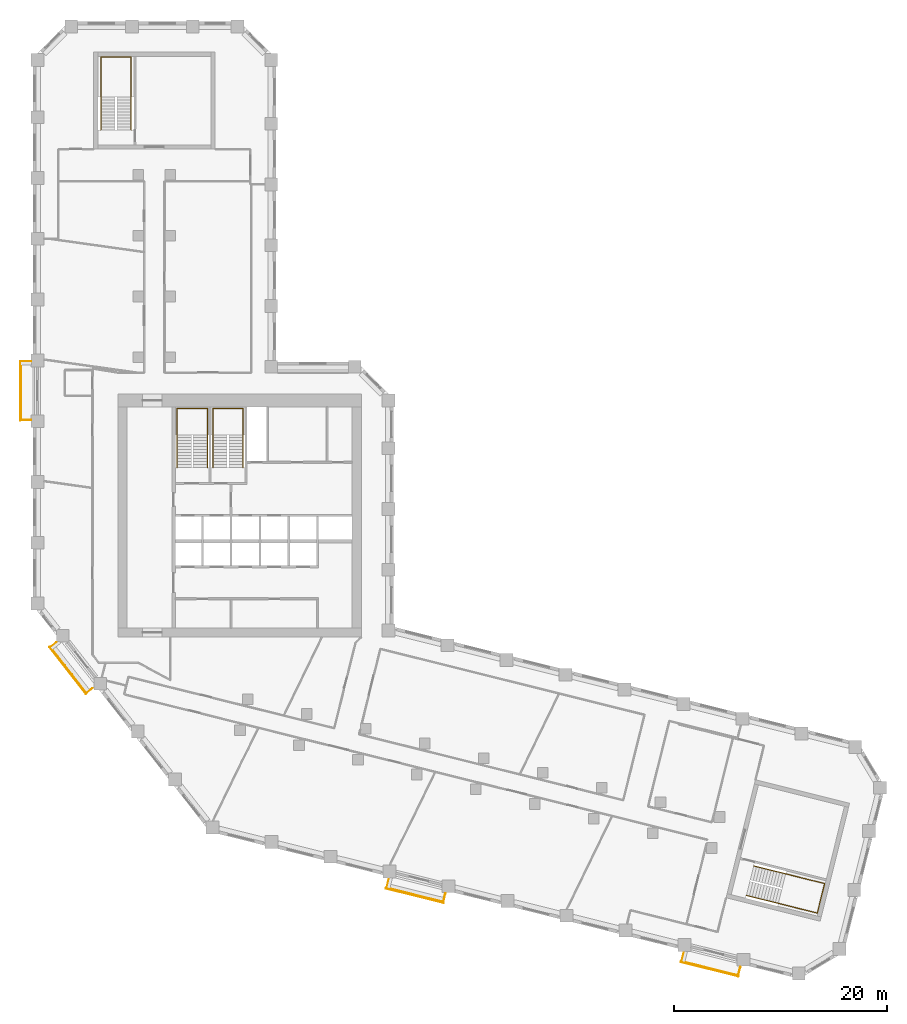
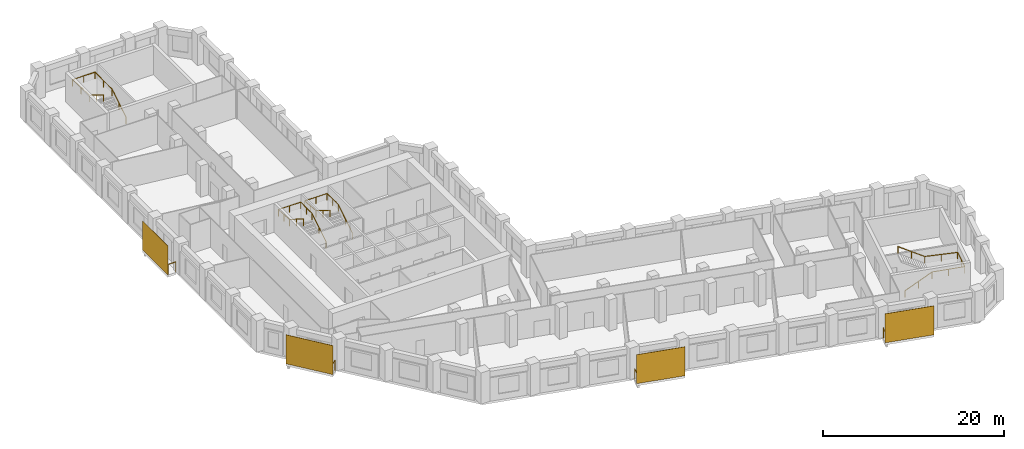
# One storey, part 10 of 10: 8 railings, 4 shading devices.
"""IFC4 building model written with IfcOpenShell, lengths in metres."""

import ifcopenshell
import ifcopenshell.guid

model = None  # the IFC model being written
_history = None  # IfcOwnerHistory: only IFC2X3 demands one
_inside = {}  # id of a spatial element -> (the spatial element, [elements in it])
_under = {}  # id of a project, library or spatial element -> (it, [spatial elements below it])
_declared = {}  # id of a project -> (the project, [libraries it declares])
_typed = {}  # id of a type object -> (the type object, [elements of that type])
_made_of = {}  # id of a material, layer set ... -> (it, [elements and type objects made of it])


def new_model(schema):
    """Start an empty IFC model of exactly this schema.

    Asked for "IFC4X3", IfcOpenShell would pick the latest addendum, in which some entities
    have other attributes; the version numbers below select the first issue.
    IFC2X3 requires an IfcOwnerHistory on every rooted entity: one is made here for all.
    """
    global model, _history
    if schema == "IFC4X3":
        model = ifcopenshell.file(schema_version=(4, 3, 0, 0))
    else:
        model = ifcopenshell.file(schema=schema)
    _inside.clear()
    _under.clear()
    _declared.clear()
    _typed.clear()
    _made_of.clear()
    _history = None
    if model.schema == "IFC2X3":
        org = make("IfcOrganization", Name="unknown")
        user = make(
            "IfcPersonAndOrganization",
            ThePerson=make("IfcPerson", FamilyName="unknown"),
            TheOrganization=org,
        )
        app = make(
            "IfcApplication",
            ApplicationDeveloper=org,
            Version="unknown",
            ApplicationFullName="unknown",
            ApplicationIdentifier="unknown",
        )
        _history = make(
            "IfcOwnerHistory",
            OwningUser=user,
            OwningApplication=app,
            ChangeAction="ADDED",
            CreationDate=0,
        )
    return model


def make(cls, **values):
    """One entity of the class cls with the attributes given. An attribute that is None is left unset."""
    return model.create_entity(
        cls, **{name: value for name, value in values.items() if value is not None}
    )


def rooted(cls, **values):
    """An entity with a GlobalId (a new one), such as an element, a storey or a relation."""
    return make(cls, GlobalId=ifcopenshell.guid.new(), OwnerHistory=_history, **values)


def si_unit(unit_type, name, prefix=None):
    """IfcSIUnit, for example si_unit("LENGTHUNIT", "METRE", prefix="MILLI")."""
    return make("IfcSIUnit", UnitType=unit_type, Prefix=prefix, Name=name)


def assignment(units):
    """IfcUnitAssignment: the units of a project."""
    return None if units is None else make("IfcUnitAssignment", Units=units)


def point(xyz):
    """IfcCartesianPoint."""
    return None if xyz is None else make("IfcCartesianPoint", Coordinates=xyz)


def direction(xyz):
    """IfcDirection."""
    return None if xyz is None else make("IfcDirection", DirectionRatios=xyz)


def frame(location, z_axis=None, x_axis=None):
    """IfcAxis2Placement3D, a coordinate frame: its origin and axes. An axis left out is left unset."""
    return make(
        "IfcAxis2Placement3D",
        Location=point(location),
        Axis=direction(z_axis),
        RefDirection=direction(x_axis),
    )


def frame_2d(location, x_axis=None):
    """IfcAxis2Placement2D, a coordinate frame in the plane: its origin and x axis."""
    return make(
        "IfcAxis2Placement2D", Location=point(location), RefDirection=direction(x_axis)
    )


def origin():
    """The frame at (0, 0, 0) with its axes left unset."""
    return frame((0.0, 0.0, 0.0))


def origin_2d():
    """The frame at (0, 0) in the plane with its x axis left unset."""
    return frame_2d((0.0, 0.0))


def place(relative_to, where):
    """IfcLocalPlacement: puts the frame where relative to a parent placement (None: the world)."""
    return make(
        "IfcLocalPlacement", PlacementRelTo=relative_to, RelativePlacement=where
    )


def context(
    kind, dimensions, precision=None, world=None, true_north=None, identifier=None
):
    """IfcGeometricRepresentationContext, for example the 3D "Model" context."""
    return make(
        "IfcGeometricRepresentationContext",
        ContextIdentifier=identifier,
        ContextType=kind,
        CoordinateSpaceDimension=dimensions,
        Precision=precision,
        WorldCoordinateSystem=world,
        TrueNorth=true_north,
    )


def subcontext(parent, identifier, kind, view, scale=None):
    """IfcGeometricRepresentationSubContext, for example "Body" below "Model"."""
    return make(
        "IfcGeometricRepresentationSubContext",
        ContextIdentifier=identifier,
        ContextType=kind,
        ParentContext=parent,
        TargetScale=scale,
        TargetView=view,
    )


def project(units=None, contexts=None):
    """IfcProject with its units and contexts."""
    return rooted(
        "IfcProject",
        Name="project",
        RepresentationContexts=contexts,
        UnitsInContext=assignment(units),
    )


def spatial(cls, under=None, at=None, **own):
    """A site, building, storey or space (cls), placed at a placement, below another one or the project."""
    s = rooted(cls, ObjectPlacement=at, **own)
    if under is not None:
        _under.setdefault(under.id(), (under, []))[1].append(s)
    return s


def profile(cls, at=None, kind="AREA", **sizes):
    """A parametric profile (cls). Its sizes go by their IFC names, for example OverallWidth=200.0."""
    return make(cls, ProfileType=kind, Position=at, **sizes)


def rectangle(**sizes):
    """IfcRectangleProfileDef."""
    return profile("IfcRectangleProfileDef", **sizes)


def circle(**sizes):
    """IfcCircleProfileDef."""
    return profile("IfcCircleProfileDef", **sizes)


def extrude(swept, where, along, depth):
    """IfcExtrudedAreaSolid: the profile swept, set in the frame where, extruded along a direction by depth."""
    return make(
        "IfcExtrudedAreaSolid",
        SweptArea=swept,
        Position=where,
        ExtrudedDirection=direction(along),
        Depth=depth,
    )


def shape(context_of_items, identifier, shape_type, items):
    """IfcShapeRepresentation: the items that make up one representation, for example the "Body"."""
    return make(
        "IfcShapeRepresentation",
        ContextOfItems=context_of_items,
        RepresentationIdentifier=identifier,
        RepresentationType=shape_type,
        Items=items,
    )


def material(Name=None, Category=None):
    """IfcMaterial."""
    return make("IfcMaterial", Name=Name, Category=Category)


def layer(
    of_material, thickness, ventilated=None, Name=None, Category=None, Priority=None
):
    """IfcMaterialLayer: one layer of a wall or slab, of a material (None: an air gap)."""
    return make(
        "IfcMaterialLayer",
        Material=of_material,
        LayerThickness=thickness,
        IsVentilated=ventilated,
        Name=Name,
        Category=Category,
        Priority=Priority,
    )


def layer_set(layers, Name=None):
    """IfcMaterialLayerSet."""
    return make("IfcMaterialLayerSet", MaterialLayers=layers, LayerSetName=Name)


def made_of(thing, what):
    """Note that an element or type object is made of a material, layer set ...; save() writes the relation."""
    if what is not None:
        _made_of.setdefault(what.id(), (what, []))[1].append(thing)
    return thing


def type_object(cls, material=None, **own):
    """A type object (cls), such as IfcWallType, which elements share."""
    return made_of(rooted(cls, **own), material)


def element(
    cls,
    number,
    at=None,
    inside=None,
    cuts=None,
    type_object=None,
    material=None,
    context=None,
    identifier="Body",
    shape_type=None,
    held_by="IfcProductDefinitionShape",
    body=None,
    shapes=None,
    **own,
):
    """One element of the class cls, such as IfcWall. Its Tag is "e" and its number.

    at: its placement. inside: the storey or other place that contains it. cuts: it is an
    opening in that element (IfcRelVoidsElement). A single representation is given by context,
    identifier, shape_type and body (its items); several are given by shapes. held_by: the class
    of the entity that holds the representations. save() writes the other relations.
    """
    e = rooted(cls, Tag="e%d" % number, ObjectPlacement=at, **own)
    if body is not None:
        shapes = [shape(context, identifier, shape_type, body)]
    if shapes is not None:
        e.Representation = make(held_by, Representations=shapes)
    if inside is not None:
        _inside.setdefault(inside.id(), (inside, []))[1].append(e)
    if cuts is not None:
        rooted(
            "IfcRelVoidsElement", RelatingBuildingElement=cuts, RelatedOpeningElement=e
        )
    if type_object is not None:
        _typed.setdefault(type_object.id(), (type_object, []))[1].append(e)
    return made_of(e, material)


def aggregate(whole, parts):
    """IfcRelAggregates: a whole, such as a stair, and the parts it consists of."""
    return rooted("IfcRelAggregates", RelatingObject=whole, RelatedObjects=parts)


def save(model, path):
    """Write the relations noted so far, then the file.

    IfcRelAggregates (storeys below a building ...), IfcRelContainedInSpatialStructure (elements
    in a storey), IfcRelDefinesByType, IfcRelAssociatesMaterial and IfcRelDeclares: one each for
    every whole, place, type object, material and project.
    """
    for whole, parts in _under.values():
        aggregate(whole, parts)
    for where, things in _inside.values():
        rooted(
            "IfcRelContainedInSpatialStructure",
            RelatedElements=things,
            RelatingStructure=where,
        )
    for kind, things in _typed.values():
        rooted("IfcRelDefinesByType", RelatedObjects=things, RelatingType=kind)
    for what, things in _made_of.values():
        rooted("IfcRelAssociatesMaterial", RelatedObjects=things, RelatingMaterial=what)
    for by, libraries in _declared.values():
        rooted("IfcRelDeclares", RelatingContext=by, RelatedDefinitions=libraries)
    model.write(path)


model = new_model("IFC4")

# Units and contexts
model_context = context("Model", 3, precision=1e-05, world=origin(), true_north=direction((0.0, 1.0)))
body_context = subcontext(model_context, "Body", "Model", "MODEL_VIEW")
ifc_project = project(units=[si_unit("LENGTHUNIT", "METRE"), si_unit("AREAUNIT", "SQUARE_METRE"), si_unit("VOLUMEUNIT", "CUBIC_METRE"), si_unit("PLANEANGLEUNIT", "RADIAN"), si_unit("MASSUNIT", "GRAM", prefix="KILO")], contexts=[model_context])

# Site, building, storey
site_placement = place(None, origin())
site = spatial("IfcSite", under=ifc_project, at=site_placement, CompositionType="ELEMENT")
building_placement = place(site_placement, origin())
building = spatial("IfcBuilding", under=site, at=building_placement, Name="Meshkara Civic Tower", CompositionType="ELEMENT")
storey_placement = place(building_placement, frame((0.0, 0.0, 190.800048828125)))
storey = spatial("IfcBuildingStorey", under=building, at=storey_placement, Name="L43", CompositionType="ELEMENT", Elevation=190.800048828125)

# Railings
ifc_material_1 = material(Name="Steel S355", Category="steel")
railing_type_1 = type_object("IfcRailingType", Name="BALUSTRADE GUARD 1400", PredefinedType="BALUSTRADE", material=ifc_material_1)
railing_1_placement = place(storey_placement, frame((-0.14990234375, 39.93505859375, 0.0)))
element("IfcRailing", 1, at=railing_1_placement, inside=storey, type_object=railing_type_1, Name="Balcony guard", PredefinedType="BALUSTRADE", context=body_context, shape_type="SweptSolid", body=[
    extrude(circle(Radius=0.02392578125, at=origin_2d()), frame((0.0, 0.0, 1.3759765625), z_axis=(-1.0, 0.0, 0.0), x_axis=(0.0, -1.0, 0.0)), (0.0, 0.0, 1.0), 0.960205078125),
    extrude(circle(Radius=0.02392578125, at=origin_2d()), frame((-0.960205078125, 0.0, 1.3759765625), z_axis=(0.0, -1.0, 0.0), x_axis=(1.0, 0.0, 0.0)), (0.0, 0.0, 1.0), 5.4599609375),
    extrude(circle(Radius=0.02392578125, at=origin_2d()), frame((-0.960205078125, -5.4599609375, 1.3759765625), z_axis=(1.0, 0.0, 0.0), x_axis=(0.0, 1.0, 0.0)), (0.0, 0.0, 1.0), 0.960205078125),
    extrude(circle(Radius=0.02099609375, at=origin_2d()), origin(), (0.0, 0.0, 1.0), 1.351806640625),
    extrude(circle(Radius=0.02099609375, at=origin_2d()), frame((-0.960205078125, 0.0, 0.0)), (0.0, 0.0, 1.0), 1.351806640625),
    extrude(circle(Radius=0.02099609375, at=origin_2d()), frame((-0.960205078125, -1.092041015625, 0.0)), (0.0, 0.0, 1.0), 1.351806640625),
    extrude(circle(Radius=0.02099609375, at=origin_2d()), frame((-0.960205078125, -2.18408203125, 0.0)), (0.0, 0.0, 1.0), 1.351806640625),
    extrude(circle(Radius=0.02099609375, at=origin_2d()), frame((-0.960205078125, -3.27587890625, 0.0)), (0.0, 0.0, 1.0), 1.351806640625),
    extrude(circle(Radius=0.02099609375, at=origin_2d()), frame((-0.960205078125, -4.367919921875, 0.0)), (0.0, 0.0, 1.0), 1.351806640625),
    extrude(circle(Radius=0.02099609375, at=origin_2d()), frame((-0.960205078125, -5.4599609375, 0.0)), (0.0, 0.0, 1.0), 1.351806640625),
    extrude(circle(Radius=0.02099609375, at=origin_2d()), frame((0.0, -5.4599609375, 0.0)), (0.0, 0.0, 1.0), 1.351806640625),
])
railing_2_placement = place(storey_placement, frame((2.22412109375, 13.615966796875, 0.0)))
element("IfcRailing", 2, at=railing_2_placement, inside=storey, type_object=railing_type_1, Name="Balcony guard", PredefinedType="BALUSTRADE", context=body_context, shape_type="SweptSolid", body=[
    extrude(circle(Radius=0.02392578125, at=origin_2d()), frame((0.0, 0.0, 1.3759765625), z_axis=(-0.787792154951, -0.615941166506, 0.0), x_axis=(0.615941166506, -0.787792154951, 0.0)), (0.0, 0.0, 1.0), 0.717529296875),
    extrude(circle(Radius=0.02392578125, at=origin_2d()), frame((-0.565185546875, -0.44189453125, 1.3759765625), z_axis=(0.615573755741, -0.788079279795, 0.0), x_axis=(0.788079279795, 0.615573755741, 0.0)), (0.0, 0.0, 1.0), 5.460205078125),
    extrude(circle(Radius=0.02392578125, at=origin_2d()), frame((2.7958984375, -4.744873046875, 1.3759765625), z_axis=(0.788178999613, 0.615446069586, 0.0), x_axis=(-0.615446069586, 0.788178999613, 0.0)), (0.0, 0.0, 1.0), 0.718017578125),
    extrude(circle(Radius=0.02099609375, at=origin_2d()), origin(), (0.0, 0.0, 1.0), 1.351806640625),
    extrude(circle(Radius=0.02099609375, at=origin_2d()), frame((-0.565185546875, -0.44189453125, 0.0)), (0.0, 0.0, 1.0), 1.351806640625),
    extrude(circle(Radius=0.02099609375, at=origin_2d()), frame((0.10693359375, -1.302490234375, 0.0)), (0.0, 0.0, 1.0), 1.351806640625),
    extrude(circle(Radius=0.02099609375, at=origin_2d()), frame((0.779296875, -2.1630859375, 0.0)), (0.0, 0.0, 1.0), 1.351806640625),
    extrude(circle(Radius=0.02099609375, at=origin_2d()), frame((1.451416015625, -3.023681640625, 0.0)), (0.0, 0.0, 1.0), 1.351806640625),
    extrude(circle(Radius=0.02099609375, at=origin_2d()), frame((2.123779296875, -3.88427734375, 0.0)), (0.0, 0.0, 1.0), 1.351806640625),
    extrude(circle(Radius=0.02099609375, at=origin_2d()), frame((2.7958984375, -4.744873046875, 0.0)), (0.0, 0.0, 1.0), 1.351806640625),
    extrude(circle(Radius=0.02099609375, at=origin_2d()), frame((3.36181640625, -4.302978515625, 0.0)), (0.0, 0.0, 1.0), 1.351806640625),
])
railing_3_placement = place(storey_placement, frame((33.384033203125, -8.60888671875, 0.0)))
element("IfcRailing", 3, at=railing_3_placement, inside=storey, type_object=railing_type_1, Name="Balcony guard", PredefinedType="BALUSTRADE", context=body_context, shape_type="SweptSolid", body=[
    extrude(circle(Radius=0.02392578125, at=origin_2d()), frame((0.0, 0.0, 1.3759765625), z_axis=(-0.242673544463, -0.970108009872, 0.0), x_axis=(0.970108009872, -0.242673544463, 0.0)), (0.0, 0.0, 1.0), 0.8330078125),
    extrude(circle(Radius=0.02392578125, at=origin_2d()), frame((-0.2021484375, -0.80810546875, 1.3759765625), z_axis=(0.970292231073, -0.24193591366, 0.0), x_axis=(0.24193591366, 0.970292231073, 0.0)), (0.0, 0.0, 1.0), 5.460205078125),
    extrude(circle(Radius=0.02392578125, at=origin_2d()), frame((5.095947265625, -2.129150390625, 1.3759765625), z_axis=(0.242397690902, 0.970176973261, 0.0), x_axis=(-0.970176973261, 0.242397690902, 0.0)), (0.0, 0.0, 1.0), 0.8330078125),
    extrude(circle(Radius=0.02099609375, at=origin_2d()), origin(), (0.0, 0.0, 1.0), 1.351806640625),
    extrude(circle(Radius=0.02099609375, at=origin_2d()), frame((-0.2021484375, -0.80810546875, 0.0)), (0.0, 0.0, 1.0), 1.351806640625),
    extrude(circle(Radius=0.02099609375, at=origin_2d()), frame((0.857421875, -1.072265625, 0.0)), (0.0, 0.0, 1.0), 1.351806640625),
    extrude(circle(Radius=0.02099609375, at=origin_2d()), frame((1.9169921875, -1.33642578125, 0.0)), (0.0, 0.0, 1.0), 1.351806640625),
    extrude(circle(Radius=0.02099609375, at=origin_2d()), frame((2.976806640625, -1.600830078125, 0.0)), (0.0, 0.0, 1.0), 1.351806640625),
    extrude(circle(Radius=0.02099609375, at=origin_2d()), frame((4.036376953125, -1.864990234375, 0.0)), (0.0, 0.0, 1.0), 1.351806640625),
    extrude(circle(Radius=0.02099609375, at=origin_2d()), frame((5.095947265625, -2.129150390625, 0.0)), (0.0, 0.0, 1.0), 1.351806640625),
    extrude(circle(Radius=0.02099609375, at=origin_2d()), frame((5.2978515625, -1.321044921875, 0.0)), (0.0, 0.0, 1.0), 1.351806640625),
])
railing_4_placement = place(storey_placement, frame((61.037109375, -15.50390625, 0.0)))
element("IfcRailing", 4, at=railing_4_placement, inside=storey, type_object=railing_type_1, Name="Balcony guard", PredefinedType="BALUSTRADE", context=body_context, shape_type="SweptSolid", body=[
    extrude(circle(Radius=0.02392578125, at=origin_2d()), frame((0.0, 0.0, 1.3759765625), z_axis=(-0.241569777604, -0.970383451296, 0.0), x_axis=(0.970383451296, -0.241569777604, 0.0)), (0.0, 0.0, 1.0), 0.832763671875),
    extrude(circle(Radius=0.02392578125, at=origin_2d()), frame((-0.201171875, -0.80810546875, 1.3759765625), z_axis=(0.970323745377, -0.241809489388, 0.0), x_axis=(0.241809489388, 0.970323745377, 0.0)), (0.0, 0.0, 1.0), 5.459228515625),
    extrude(circle(Radius=0.02392578125, at=origin_2d()), frame((5.095947265625, -2.128173828125, 1.3759765625), z_axis=(0.242673711326, 0.970107968131, 0.0), x_axis=(-0.970107968131, 0.242673711326, 0.0)), (0.0, 0.0, 1.0), 0.83203125),
    extrude(circle(Radius=0.02099609375, at=origin_2d()), origin(), (0.0, 0.0, 1.0), 1.351806640625),
    extrude(circle(Radius=0.02099609375, at=origin_2d()), frame((-0.201171875, -0.80810546875, 0.0)), (0.0, 0.0, 1.0), 1.351806640625),
    extrude(circle(Radius=0.02099609375, at=origin_2d()), frame((0.858154296875, -1.072021484375, 0.0)), (0.0, 0.0, 1.0), 1.351806640625),
    extrude(circle(Radius=0.02099609375, at=origin_2d()), frame((1.917724609375, -1.336181640625, 0.0)), (0.0, 0.0, 1.0), 1.351806640625),
    extrude(circle(Radius=0.02099609375, at=origin_2d()), frame((2.97705078125, -1.60009765625, 0.0)), (0.0, 0.0, 1.0), 1.351806640625),
    extrude(circle(Radius=0.02099609375, at=origin_2d()), frame((4.03662109375, -1.8642578125, 0.0)), (0.0, 0.0, 1.0), 1.351806640625),
    extrude(circle(Radius=0.02099609375, at=origin_2d()), frame((5.095947265625, -2.128173828125, 0.0)), (0.0, 0.0, 1.0), 1.351806640625),
    extrude(circle(Radius=0.02099609375, at=origin_2d()), frame((5.2978515625, -1.321044921875, 0.0)), (0.0, 0.0, 1.0), 1.351806640625),
])

# Shading devices
ifc_material_2 = material(Name="Perforated bronze anodised aluminium sheet", Category="aluminium")
ifc_layer = layer(ifc_material_2, 0.0400390625)
ifc_layer_set = layer_set([ifc_layer], Name="PERFORATED BRONZE SCREEN")
shading_device_type = type_object("IfcShadingDeviceType", Name="PERFORATED BRONZE SCREEN", PredefinedType="USERDEFINED", material=ifc_layer_set)
for number, where, z_axis, x_axis, name in (
    (5, (-1.179931640625, 37.205078125, 0.0), (0.0, 0.0, 1.0), (0.0, -1.0, 0.0), "Balcony screen"),
    (6, (3.283935546875, 10.97998046875, 0.0), (0.0, 0.0, 1.0), (0.615661475326, -0.788010753607, 0.0), "Balcony screen"),
    (7, (35.81396484375, -10.14599609375, 0.0), (0.0, 0.0, 1.0), (0.970299948462, -0.241904960708, 0.0), "Balcony screen"),
):
    element("IfcShadingDevice", number, at=place(storey_placement, frame(where, z_axis=z_axis, x_axis=x_axis)), inside=storey, type_object=shading_device_type, Name=name, ObjectType="SCREEN", PredefinedType="USERDEFINED", context=body_context, shape_type="SweptSolid", body=[
        extrude(rectangle(XDim=5.580078125, YDim=0.0400390625, at=origin_2d()), origin(), (0.0, 0.0, 1.0), 3.89990234375),
    ])
shading_device_placement = place(storey_placement, frame((63.468017578125, -17.0400390625, 0.0), z_axis=(0.0, 0.0, 1.0), x_axis=(0.970299948462, -0.241904960708, 0.0)))
element("IfcShadingDevice", 8, at=shading_device_placement, inside=storey, type_object=shading_device_type, Name="Balcony screen", ObjectType="SCREEN", PredefinedType="USERDEFINED", context=body_context, shape_type="SweptSolid", body=[
    extrude(rectangle(XDim=5.5791015625, YDim=0.0400390625, at=origin_2d()), origin(), (0.0, 0.0, 1.0), 3.89990234375),
])

# Railings
ifc_material_3 = material(Name="Steel handrail", Category="steel")
railing_type_2 = type_object("IfcRailingType", Name="Stair handrail 900", PredefinedType="HANDRAIL", material=ifc_material_3)
railing_5_placement = place(storey_placement, frame((16.375, 30.0, 0.175048828125)))
element("IfcRailing", 9, at=railing_5_placement, inside=storey, type_object=railing_type_2, Name="L43 ST1 stair handrail 1", PredefinedType="HANDRAIL", context=body_context, shape_type="SweptSolid", body=[
    extrude(circle(Radius=0.02392578125, at=origin_2d()), frame((0.0, 0.0, 0.8759765625), z_axis=(0.0, 0.848028513186, 0.529950602248), x_axis=(-1.0, 0.0, 0.0)), (0.0, 0.0, 1.0), 3.632080078125),
    extrude(circle(Radius=0.02392578125, at=origin_2d()), frame((0.0, 3.080078125, 2.80078125), z_axis=(0.0, 1.0, 0.0), x_axis=(-1.0, 0.0, 0.0)), (0.0, 0.0, 1.0), 2.469970703125),
    extrude(circle(Radius=0.02392578125, at=origin_2d()), frame((0.0, 5.550048828125, 2.80078125), z_axis=(-1.0, 0.0, 0.0), x_axis=(0.0, -1.0, 0.0)), (0.0, 0.0, 1.0), 2.85009765625),
    extrude(circle(Radius=0.02392578125, at=origin_2d()), frame((-2.85009765625, 5.550048828125, 2.80078125), z_axis=(0.0, -0.997498084828, 0.070693498747), x_axis=(1.0, 0.0, 0.0)), (0.0, 0.0, 1.0), 2.47607421875),
    extrude(circle(Radius=0.02392578125, at=origin_2d()), frame((-2.85009765625, 3.080078125, 2.9755859375), z_axis=(0.0, -0.847998304005, 0.529998940003), x_axis=(1.0, 0.0, 0.0)), (0.0, 0.0, 1.0), 3.632080078125),
    extrude(circle(Radius=0.02099609375, at=origin_2d()), origin(), (0.0, 0.0, 1.0), 0.851806640625),
    extrude(circle(Radius=0.02099609375, at=origin_2d()), frame((0.0, 1.5400390625, 0.96240234375)), (0.0, 0.0, 1.0), 0.851806640625),
    extrude(circle(Radius=0.02099609375, at=origin_2d()), frame((0.0, 3.080078125, 1.9248046875)), (0.0, 0.0, 1.0), 0.851806640625),
    extrude(circle(Radius=0.02099609375, at=origin_2d()), frame((0.0, 4.31494140625, 1.9248046875)), (0.0, 0.0, 1.0), 0.851806640625),
    extrude(circle(Radius=0.02099609375, at=origin_2d()), frame((0.0, 5.550048828125, 1.9248046875)), (0.0, 0.0, 1.0), 0.851806640625),
    extrude(circle(Radius=0.02099609375, at=origin_2d()), frame((-1.425048828125, 5.550048828125, 1.9248046875)), (0.0, 0.0, 1.0), 0.851806640625),
    extrude(circle(Radius=0.02099609375, at=origin_2d()), frame((-2.85009765625, 5.550048828125, 1.9248046875)), (0.0, 0.0, 1.0), 0.851806640625),
    extrude(circle(Radius=0.02099609375, at=origin_2d()), frame((-2.85009765625, 4.31494140625, 2.01220703125)), (0.0, 0.0, 1.0), 0.851806640625),
    extrude(circle(Radius=0.02099609375, at=origin_2d()), frame((-2.85009765625, 3.080078125, 2.099853515625)), (0.0, 0.0, 1.0), 0.851806640625),
    extrude(circle(Radius=0.02099609375, at=origin_2d()), frame((-2.85009765625, 1.5400390625, 3.0625)), (0.0, 0.0, 1.0), 0.851806640625),
    extrude(circle(Radius=0.02099609375, at=origin_2d()), frame((-2.85009765625, 0.0, 4.02490234375)), (0.0, 0.0, 1.0), 0.851806640625),
])
railing_6_placement = place(storey_placement, frame((19.72509765625, 30.0, 0.175048828125)))
element("IfcRailing", 10, at=railing_6_placement, inside=storey, type_object=railing_type_2, Name="L43 ST2 stair handrail 1", PredefinedType="HANDRAIL", context=body_context, shape_type="SweptSolid", body=[
    extrude(circle(Radius=0.02392578125, at=origin_2d()), frame((0.0, 0.0, 0.8759765625), z_axis=(0.0, 0.848028513186, 0.529950602248), x_axis=(-1.0, 0.0, 0.0)), (0.0, 0.0, 1.0), 3.632080078125),
    extrude(circle(Radius=0.02392578125, at=origin_2d()), frame((0.0, 3.080078125, 2.80078125), z_axis=(0.0, 1.0, 0.0), x_axis=(-1.0, 0.0, 0.0)), (0.0, 0.0, 1.0), 2.469970703125),
    extrude(circle(Radius=0.02392578125, at=origin_2d()), frame((0.0, 5.550048828125, 2.80078125), z_axis=(-1.0, 0.0, 0.0), x_axis=(0.0, -1.0, 0.0)), (0.0, 0.0, 1.0), 2.85009765625),
    extrude(circle(Radius=0.02392578125, at=origin_2d()), frame((-2.85009765625, 5.550048828125, 2.80078125), z_axis=(0.0, -0.997498084828, 0.070693498747), x_axis=(1.0, 0.0, 0.0)), (0.0, 0.0, 1.0), 2.47607421875),
    extrude(circle(Radius=0.02392578125, at=origin_2d()), frame((-2.85009765625, 3.080078125, 2.9755859375), z_axis=(0.0, -0.847998304005, 0.529998940003), x_axis=(1.0, 0.0, 0.0)), (0.0, 0.0, 1.0), 3.632080078125),
    extrude(circle(Radius=0.02099609375, at=origin_2d()), origin(), (0.0, 0.0, 1.0), 0.851806640625),
    extrude(circle(Radius=0.02099609375, at=origin_2d()), frame((0.0, 1.5400390625, 0.96240234375)), (0.0, 0.0, 1.0), 0.851806640625),
    extrude(circle(Radius=0.02099609375, at=origin_2d()), frame((0.0, 3.080078125, 1.9248046875)), (0.0, 0.0, 1.0), 0.851806640625),
    extrude(circle(Radius=0.02099609375, at=origin_2d()), frame((0.0, 4.31494140625, 1.9248046875)), (0.0, 0.0, 1.0), 0.851806640625),
    extrude(circle(Radius=0.02099609375, at=origin_2d()), frame((0.0, 5.550048828125, 1.9248046875)), (0.0, 0.0, 1.0), 0.851806640625),
    extrude(circle(Radius=0.02099609375, at=origin_2d()), frame((-1.425048828125, 5.550048828125, 1.9248046875)), (0.0, 0.0, 1.0), 0.851806640625),
    extrude(circle(Radius=0.02099609375, at=origin_2d()), frame((-2.85009765625, 5.550048828125, 1.9248046875)), (0.0, 0.0, 1.0), 0.851806640625),
    extrude(circle(Radius=0.02099609375, at=origin_2d()), frame((-2.85009765625, 4.31494140625, 2.01220703125)), (0.0, 0.0, 1.0), 0.851806640625),
    extrude(circle(Radius=0.02099609375, at=origin_2d()), frame((-2.85009765625, 3.080078125, 2.099853515625)), (0.0, 0.0, 1.0), 0.851806640625),
    extrude(circle(Radius=0.02099609375, at=origin_2d()), frame((-2.85009765625, 1.5400390625, 3.0625)), (0.0, 0.0, 1.0), 0.851806640625),
    extrude(circle(Radius=0.02099609375, at=origin_2d()), frame((-2.85009765625, 0.0, 4.02490234375)), (0.0, 0.0, 1.0), 0.851806640625),
])
railing_7_placement = place(storey_placement, frame((9.22509765625, 61.669921875, 0.175048828125)))
element("IfcRailing", 11, at=railing_7_placement, inside=storey, type_object=railing_type_2, Name="L43 ESA3 stair handrail 1", PredefinedType="HANDRAIL", context=body_context, shape_type="SweptSolid", body=[
    extrude(circle(Radius=0.02392578125, at=origin_2d()), frame((0.0, 0.0, 0.8759765625), z_axis=(0.0, 0.848028513186, 0.529950602248), x_axis=(-1.0, 0.0, 0.0)), (0.0, 0.0, 1.0), 3.632080078125),
    extrude(circle(Radius=0.02392578125, at=origin_2d()), frame((0.0, 3.080078125, 2.80078125), z_axis=(0.0, 1.0, 0.0), x_axis=(-1.0, 0.0, 0.0)), (0.0, 0.0, 1.0), 3.77001953125),
    extrude(circle(Radius=0.02392578125, at=origin_2d()), frame((0.0, 6.85009765625, 2.80078125), z_axis=(-1.0, 0.0, 0.0), x_axis=(0.0, -1.0, 0.0)), (0.0, 0.0, 1.0), 2.85009765625),
    extrude(circle(Radius=0.02392578125, at=origin_2d()), frame((-2.85009765625, 6.85009765625, 2.80078125), z_axis=(0.0, -0.9989237834, 0.046381838667), x_axis=(1.0, 0.0, 0.0)), (0.0, 0.0, 1.0), 3.774169921875),
    extrude(circle(Radius=0.02392578125, at=origin_2d()), frame((-2.85009765625, 3.080078125, 2.9755859375), z_axis=(0.0, -0.847998304005, 0.529998940003), x_axis=(1.0, 0.0, 0.0)), (0.0, 0.0, 1.0), 3.632080078125),
    extrude(circle(Radius=0.02099609375, at=origin_2d()), origin(), (0.0, 0.0, 1.0), 0.851806640625),
    extrude(circle(Radius=0.02099609375, at=origin_2d()), frame((0.0, 1.5400390625, 0.96240234375)), (0.0, 0.0, 1.0), 0.851806640625),
    extrude(circle(Radius=0.02099609375, at=origin_2d()), frame((0.0, 3.080078125, 1.9248046875)), (0.0, 0.0, 1.0), 0.851806640625),
    extrude(circle(Radius=0.02099609375, at=origin_2d()), frame((0.0, 4.965087890625, 1.9248046875)), (0.0, 0.0, 1.0), 0.851806640625),
    extrude(circle(Radius=0.02099609375, at=origin_2d()), frame((0.0, 6.85009765625, 1.9248046875)), (0.0, 0.0, 1.0), 0.851806640625),
    extrude(circle(Radius=0.02099609375, at=origin_2d()), frame((-1.425048828125, 6.85009765625, 1.9248046875)), (0.0, 0.0, 1.0), 0.851806640625),
    extrude(circle(Radius=0.02099609375, at=origin_2d()), frame((-2.85009765625, 6.85009765625, 1.9248046875)), (0.0, 0.0, 1.0), 0.851806640625),
    extrude(circle(Radius=0.02099609375, at=origin_2d()), frame((-2.85009765625, 4.965087890625, 2.01220703125)), (0.0, 0.0, 1.0), 0.851806640625),
    extrude(circle(Radius=0.02099609375, at=origin_2d()), frame((-2.85009765625, 3.080078125, 2.099853515625)), (0.0, 0.0, 1.0), 0.851806640625),
    extrude(circle(Radius=0.02099609375, at=origin_2d()), frame((-2.85009765625, 1.5400390625, 3.0625)), (0.0, 0.0, 1.0), 0.851806640625),
    extrude(circle(Radius=0.02099609375, at=origin_2d()), frame((-2.85009765625, 0.0, 4.02490234375)), (0.0, 0.0, 1.0), 0.851806640625),
])
railing_8_placement = place(storey_placement, frame((66.910888671875, -10.1123046875, 0.175048828125)))
element("IfcRailing", 12, at=railing_8_placement, inside=storey, type_object=railing_type_2, Name="L43 ESB3 stair handrail 1", PredefinedType="HANDRAIL", context=body_context, shape_type="SweptSolid", body=[
    extrude(circle(Radius=0.02392578125, at=origin_2d()), frame((0.0, 0.0, 0.8759765625), z_axis=(0.822845324611, -0.205089542144, 0.529965896515), x_axis=(0.241845469214, 0.970314778317, 0.0)), (0.0, 0.0, 1.0), 3.6318359375),
    extrude(circle(Radius=0.02392578125, at=origin_2d()), frame((2.988525390625, -0.744873046875, 2.80078125), z_axis=(0.970325068916, -0.241804178279, 0.0), x_axis=(0.241804178279, 0.970325068916, 0.0)), (0.0, 0.0, 1.0), 3.77001953125),
    extrude(circle(Radius=0.02392578125, at=origin_2d()), frame((6.646728515625, -1.656494140625, 2.80078125), z_axis=(0.24183009087, 0.970318611153, 0.0), x_axis=(-0.970318611153, 0.24183009087, 0.0)), (0.0, 0.0, 1.0), 2.849853515625),
    extrude(circle(Radius=0.02392578125, at=origin_2d()), frame((7.3359375, 1.10888671875, 2.80078125), z_axis=(-0.969280822407, 0.241543952941, 0.046381096481), x_axis=(-0.241804178279, -0.970325068916, 0.0)), (0.0, 0.0, 1.0), 3.774169921875),
    extrude(circle(Radius=0.02392578125, at=origin_2d()), frame((3.677734375, 2.0205078125, 2.9755859375), z_axis=(-0.822816010835, 0.205082235851, 0.530014234575), x_axis=(-0.241845469214, -0.970314778317, 0.0)), (0.0, 0.0, 1.0), 3.632080078125),
    extrude(circle(Radius=0.02099609375, at=origin_2d()), origin(), (0.0, 0.0, 1.0), 0.851806640625),
    extrude(circle(Radius=0.02099609375, at=origin_2d()), frame((1.494140625, -0.37255859375, 0.96240234375)), (0.0, 0.0, 1.0), 0.851806640625),
    extrude(circle(Radius=0.02099609375, at=origin_2d()), frame((2.988525390625, -0.744873046875, 1.9248046875)), (0.0, 0.0, 1.0), 0.851806640625),
    extrude(circle(Radius=0.02099609375, at=origin_2d()), frame((4.817626953125, -1.20068359375, 1.9248046875)), (0.0, 0.0, 1.0), 0.851806640625),
    extrude(circle(Radius=0.02099609375, at=origin_2d()), frame((6.646728515625, -1.656494140625, 1.9248046875)), (0.0, 0.0, 1.0), 0.851806640625),
    extrude(circle(Radius=0.02099609375, at=origin_2d()), frame((6.9912109375, -0.27392578125, 1.9248046875)), (0.0, 0.0, 1.0), 0.851806640625),
    extrude(circle(Radius=0.02099609375, at=origin_2d()), frame((7.3359375, 1.10888671875, 1.9248046875)), (0.0, 0.0, 1.0), 0.851806640625),
    extrude(circle(Radius=0.02099609375, at=origin_2d()), frame((5.5068359375, 1.564697265625, 2.01220703125)), (0.0, 0.0, 1.0), 0.851806640625),
    extrude(circle(Radius=0.02099609375, at=origin_2d()), frame((3.677734375, 2.0205078125, 2.099853515625)), (0.0, 0.0, 1.0), 0.851806640625),
    extrude(circle(Radius=0.02099609375, at=origin_2d()), frame((2.18359375, 2.39306640625, 3.0625)), (0.0, 0.0, 1.0), 0.851806640625),
    extrude(circle(Radius=0.02099609375, at=origin_2d()), frame((0.689208984375, 2.765380859375, 4.02490234375)), (0.0, 0.0, 1.0), 0.851806640625),
])

save(model, "model.ifc")
